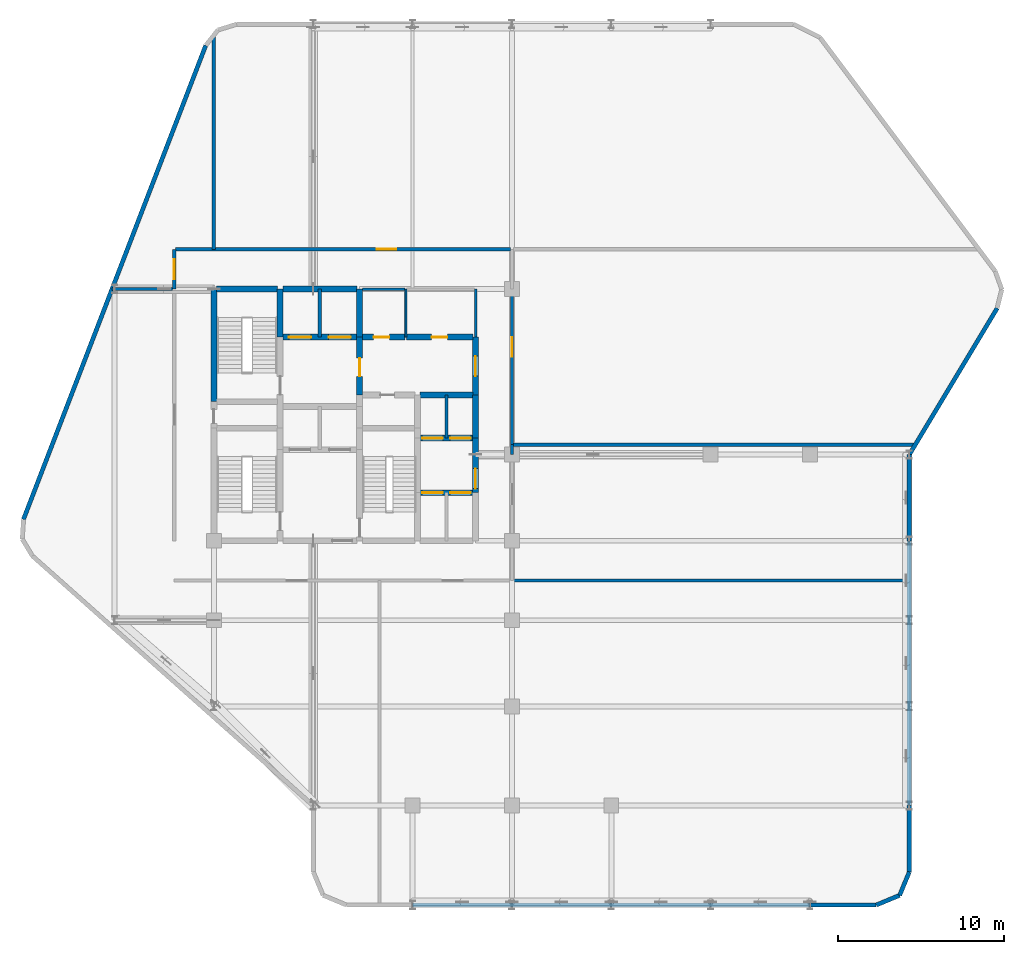
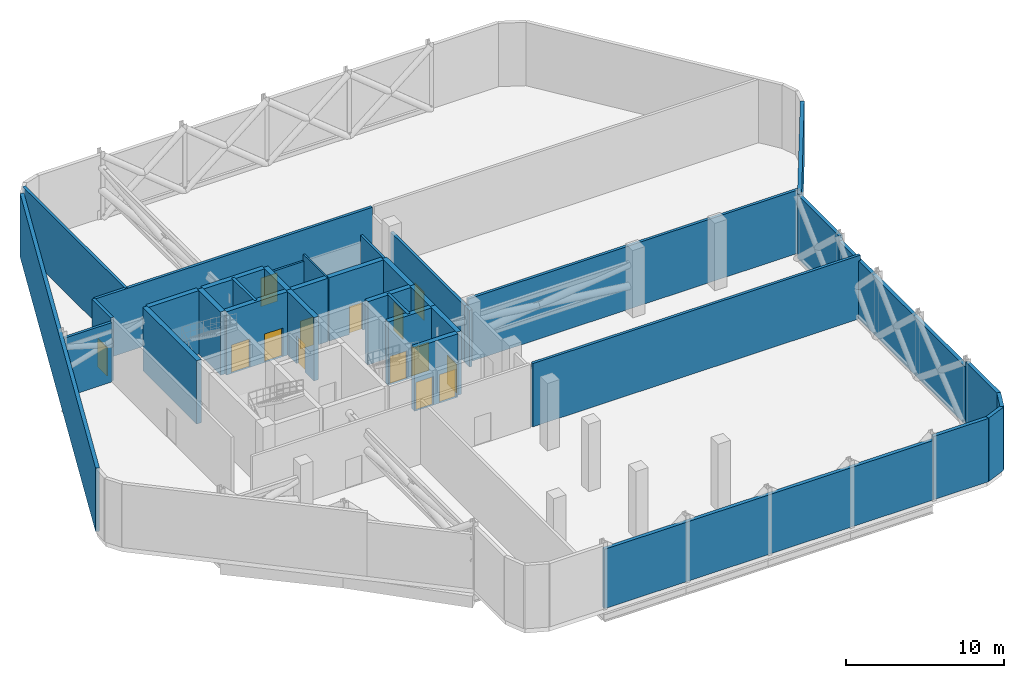
# One storey, part 10 of 12: 37 walls, 14 doors, 14 openings.
"""IFC4 building model written with IfcOpenShell, lengths in metres."""

import ifcopenshell
import ifcopenshell.guid

model = None  # the IFC model being written
_history = None  # IfcOwnerHistory: only IFC2X3 demands one
_inside = {}  # id of a spatial element -> (the spatial element, [elements in it])
_under = {}  # id of a project, library or spatial element -> (it, [spatial elements below it])
_declared = {}  # id of a project -> (the project, [libraries it declares])
_typed = {}  # id of a type object -> (the type object, [elements of that type])
_made_of = {}  # id of a material, layer set ... -> (it, [elements and type objects made of it])


def new_model(schema):
    """Start an empty IFC model of exactly this schema.

    Asked for "IFC4X3", IfcOpenShell would pick the latest addendum, in which some entities
    have other attributes; the version numbers below select the first issue.
    IFC2X3 requires an IfcOwnerHistory on every rooted entity: one is made here for all.
    """
    global model, _history
    if schema == "IFC4X3":
        model = ifcopenshell.file(schema_version=(4, 3, 0, 0))
    else:
        model = ifcopenshell.file(schema=schema)
    _inside.clear()
    _under.clear()
    _declared.clear()
    _typed.clear()
    _made_of.clear()
    _history = None
    if model.schema == "IFC2X3":
        org = make("IfcOrganization", Name="unknown")
        user = make(
            "IfcPersonAndOrganization",
            ThePerson=make("IfcPerson", FamilyName="unknown"),
            TheOrganization=org,
        )
        app = make(
            "IfcApplication",
            ApplicationDeveloper=org,
            Version="unknown",
            ApplicationFullName="unknown",
            ApplicationIdentifier="unknown",
        )
        _history = make(
            "IfcOwnerHistory",
            OwningUser=user,
            OwningApplication=app,
            ChangeAction="ADDED",
            CreationDate=0,
        )
    return model


def make(cls, **values):
    """One entity of the class cls with the attributes given. An attribute that is None is left unset."""
    return model.create_entity(
        cls, **{name: value for name, value in values.items() if value is not None}
    )


def rooted(cls, **values):
    """An entity with a GlobalId (a new one), such as an element, a storey or a relation."""
    return make(cls, GlobalId=ifcopenshell.guid.new(), OwnerHistory=_history, **values)


def si_unit(unit_type, name, prefix=None):
    """IfcSIUnit, for example si_unit("LENGTHUNIT", "METRE", prefix="MILLI")."""
    return make("IfcSIUnit", UnitType=unit_type, Prefix=prefix, Name=name)


def assignment(units):
    """IfcUnitAssignment: the units of a project."""
    return None if units is None else make("IfcUnitAssignment", Units=units)


def point(xyz):
    """IfcCartesianPoint."""
    return None if xyz is None else make("IfcCartesianPoint", Coordinates=xyz)


def direction(xyz):
    """IfcDirection."""
    return None if xyz is None else make("IfcDirection", DirectionRatios=xyz)


def frame(location, z_axis=None, x_axis=None):
    """IfcAxis2Placement3D, a coordinate frame: its origin and axes. An axis left out is left unset."""
    return make(
        "IfcAxis2Placement3D",
        Location=point(location),
        Axis=direction(z_axis),
        RefDirection=direction(x_axis),
    )


def frame_2d(location, x_axis=None):
    """IfcAxis2Placement2D, a coordinate frame in the plane: its origin and x axis."""
    return make(
        "IfcAxis2Placement2D", Location=point(location), RefDirection=direction(x_axis)
    )


def origin():
    """The frame at (0, 0, 0) with its axes left unset."""
    return frame((0.0, 0.0, 0.0))


def place(relative_to, where):
    """IfcLocalPlacement: puts the frame where relative to a parent placement (None: the world)."""
    return make(
        "IfcLocalPlacement", PlacementRelTo=relative_to, RelativePlacement=where
    )


def context(
    kind, dimensions, precision=None, world=None, true_north=None, identifier=None
):
    """IfcGeometricRepresentationContext, for example the 3D "Model" context."""
    return make(
        "IfcGeometricRepresentationContext",
        ContextIdentifier=identifier,
        ContextType=kind,
        CoordinateSpaceDimension=dimensions,
        Precision=precision,
        WorldCoordinateSystem=world,
        TrueNorth=true_north,
    )


def subcontext(parent, identifier, kind, view, scale=None):
    """IfcGeometricRepresentationSubContext, for example "Body" below "Model"."""
    return make(
        "IfcGeometricRepresentationSubContext",
        ContextIdentifier=identifier,
        ContextType=kind,
        ParentContext=parent,
        TargetScale=scale,
        TargetView=view,
    )


def project(units=None, contexts=None):
    """IfcProject with its units and contexts."""
    return rooted(
        "IfcProject",
        Name="project",
        RepresentationContexts=contexts,
        UnitsInContext=assignment(units),
    )


def spatial(cls, under=None, at=None, **own):
    """A site, building, storey or space (cls), placed at a placement, below another one or the project."""
    s = rooted(cls, ObjectPlacement=at, **own)
    if under is not None:
        _under.setdefault(under.id(), (under, []))[1].append(s)
    return s


def profile(cls, at=None, kind="AREA", **sizes):
    """A parametric profile (cls). Its sizes go by their IFC names, for example OverallWidth=200.0."""
    return make(cls, ProfileType=kind, Position=at, **sizes)


def rectangle(**sizes):
    """IfcRectangleProfileDef."""
    return profile("IfcRectangleProfileDef", **sizes)


def extrude(swept, where, along, depth):
    """IfcExtrudedAreaSolid: the profile swept, set in the frame where, extruded along a direction by depth."""
    return make(
        "IfcExtrudedAreaSolid",
        SweptArea=swept,
        Position=where,
        ExtrudedDirection=direction(along),
        Depth=depth,
    )


def shape(context_of_items, identifier, shape_type, items):
    """IfcShapeRepresentation: the items that make up one representation, for example the "Body"."""
    return make(
        "IfcShapeRepresentation",
        ContextOfItems=context_of_items,
        RepresentationIdentifier=identifier,
        RepresentationType=shape_type,
        Items=items,
    )


def material(Name=None, Category=None):
    """IfcMaterial."""
    return make("IfcMaterial", Name=Name, Category=Category)


def layer(
    of_material, thickness, ventilated=None, Name=None, Category=None, Priority=None
):
    """IfcMaterialLayer: one layer of a wall or slab, of a material (None: an air gap)."""
    return make(
        "IfcMaterialLayer",
        Material=of_material,
        LayerThickness=thickness,
        IsVentilated=ventilated,
        Name=Name,
        Category=Category,
        Priority=Priority,
    )


def layer_set(layers, Name=None):
    """IfcMaterialLayerSet."""
    return make("IfcMaterialLayerSet", MaterialLayers=layers, LayerSetName=Name)


def made_of(thing, what):
    """Note that an element or type object is made of a material, layer set ...; save() writes the relation."""
    if what is not None:
        _made_of.setdefault(what.id(), (what, []))[1].append(thing)
    return thing


def type_object(cls, material=None, **own):
    """A type object (cls), such as IfcWallType, which elements share."""
    return made_of(rooted(cls, **own), material)


def element(
    cls,
    number,
    at=None,
    inside=None,
    cuts=None,
    type_object=None,
    material=None,
    context=None,
    identifier="Body",
    shape_type=None,
    held_by="IfcProductDefinitionShape",
    body=None,
    shapes=None,
    **own,
):
    """One element of the class cls, such as IfcWall. Its Tag is "e" and its number.

    at: its placement. inside: the storey or other place that contains it. cuts: it is an
    opening in that element (IfcRelVoidsElement). A single representation is given by context,
    identifier, shape_type and body (its items); several are given by shapes. held_by: the class
    of the entity that holds the representations. save() writes the other relations.
    """
    e = rooted(cls, Tag="e%d" % number, ObjectPlacement=at, **own)
    if body is not None:
        shapes = [shape(context, identifier, shape_type, body)]
    if shapes is not None:
        e.Representation = make(held_by, Representations=shapes)
    if inside is not None:
        _inside.setdefault(inside.id(), (inside, []))[1].append(e)
    if cuts is not None:
        rooted(
            "IfcRelVoidsElement", RelatingBuildingElement=cuts, RelatedOpeningElement=e
        )
    if type_object is not None:
        _typed.setdefault(type_object.id(), (type_object, []))[1].append(e)
    return made_of(e, material)


def fill(opening, filler):
    """IfcRelFillsElement: the door or window that sits in an opening."""
    return rooted(
        "IfcRelFillsElement",
        RelatingOpeningElement=opening,
        RelatedBuildingElement=filler,
    )


def aggregate(whole, parts):
    """IfcRelAggregates: a whole, such as a stair, and the parts it consists of."""
    return rooted("IfcRelAggregates", RelatingObject=whole, RelatedObjects=parts)


def save(model, path):
    """Write the relations noted so far, then the file.

    IfcRelAggregates (storeys below a building ...), IfcRelContainedInSpatialStructure (elements
    in a storey), IfcRelDefinesByType, IfcRelAssociatesMaterial and IfcRelDeclares: one each for
    every whole, place, type object, material and project.
    """
    for whole, parts in _under.values():
        aggregate(whole, parts)
    for where, things in _inside.values():
        rooted(
            "IfcRelContainedInSpatialStructure",
            RelatedElements=things,
            RelatingStructure=where,
        )
    for kind, things in _typed.values():
        rooted("IfcRelDefinesByType", RelatedObjects=things, RelatingType=kind)
    for what, things in _made_of.values():
        rooted("IfcRelAssociatesMaterial", RelatedObjects=things, RelatingMaterial=what)
    for by, libraries in _declared.values():
        rooted("IfcRelDeclares", RelatingContext=by, RelatedDefinitions=libraries)
    model.write(path)


model = new_model("IFC4")

# Units and contexts
model_context = context("Model", 3, precision=1e-05, world=origin(), true_north=direction((0.0, 1.0)))
body_context = subcontext(model_context, "Body", "Model", "MODEL_VIEW")
ifc_project = project(units=[si_unit("LENGTHUNIT", "METRE"), si_unit("AREAUNIT", "SQUARE_METRE"), si_unit("VOLUMEUNIT", "CUBIC_METRE"), si_unit("PLANEANGLEUNIT", "RADIAN"), si_unit("MASSUNIT", "GRAM", prefix="KILO")], contexts=[model_context])

# Site, building, storey
site_placement = place(None, origin())
site = spatial("IfcSite", under=ifc_project, at=site_placement, CompositionType="ELEMENT")
building_placement = place(site_placement, origin())
building = spatial("IfcBuilding", under=site, at=building_placement, Name="Keshet Zoharim Tower", CompositionType="ELEMENT")
storey_placement = place(building_placement, frame((0.0, 0.0, 159.39990234375)))
storey = spatial("IfcBuildingStorey", under=building, at=storey_placement, Name="L39", CompositionType="ELEMENT", Elevation=159.39990234375)

# Walls
ifc_material_1 = material(Name="Gypsum Plasterboard", Category="gypsum")
ifc_layer_1 = layer(ifc_material_1, 0.14990234375)
ifc_layer_set_1 = layer_set([ifc_layer_1], Name="Gypsum Plasterboard")
wall_type_1 = type_object("IfcWallType", Name="WL-CLIN-150", PredefinedType="STANDARD", material=ifc_layer_set_1)
wall_1_placement = place(storey_placement, frame((30.800048828125, 35.0, 0.0), z_axis=(0.0, 0.0, 1.0), x_axis=(0.0, 1.0, 0.0)))
element("IfcWall", 1, at=wall_1_placement, inside=storey, type_object=wall_type_1, Name="L39 Interior Wall 031", PredefinedType="STANDARD", context=body_context, shape_type="SweptSolid", body=[
    extrude(rectangle(XDim=2.89990234375, YDim=0.14990234375, at=frame_2d((1.449951171875, 0.0))), origin(), (0.0, 0.0, 1.0), 4.89013671875),
])
wall_2_placement = place(storey_placement, frame((23.9599609375, 37.89990234375, 0.0), z_axis=(0.0, 0.0, 1.0), x_axis=(1.0, 0.0, 0.0)))
element("IfcWall", 2, at=wall_2_placement, inside=storey, type_object=wall_type_1, Name="L39 Interior Wall 056", PredefinedType="STANDARD", context=body_context, shape_type="SweptSolid", body=[
    extrude(rectangle(XDim=2.594970703125, YDim=0.14990234375, at=frame_2d((1.29736328125, 0.0))), origin(), (0.0, 0.0, 1.0), 4.39013671875),
])
ifc_material_2 = material(Name="Concrete C60/75", Category="concrete")
ifc_layer_2 = layer(ifc_material_2, 0.35009765625)
ifc_layer_set_2 = layer_set([ifc_layer_2], Name="Concrete C60/75")
wall_type_2 = type_object("IfcWallType", Name="WL-CORE-350", PredefinedType="SHEAR", material=ifc_layer_set_2)
wall_3_placement = place(storey_placement, frame((15.0, 31.10009765625, 0.0), z_axis=(0.0, 0.0, 1.0), x_axis=(0.0, 1.0, 0.0)))
element("IfcWall", 3, at=wall_3_placement, inside=storey, type_object=wall_type_2, Name="L39 Core Shear Wall 005", PredefinedType="SHEAR", context=body_context, shape_type="SweptSolid", body=[
    extrude(rectangle(XDim=6.7998046875, YDim=0.35009765625, at=frame_2d((3.39990234375, 0.0))), origin(), (0.0, 0.0, 1.0), 4.89013671875),
])
wall_4_placement = place(storey_placement, frame((19.0, 35.0, 0.0), z_axis=(0.0, 0.0, 1.0), x_axis=(0.0, 1.0, 0.0)))
element("IfcWall", 4, at=wall_4_placement, inside=storey, type_object=wall_type_2, Name="L39 Core Shear Wall 010", PredefinedType="SHEAR", context=body_context, shape_type="SweptSolid", body=[
    extrude(rectangle(XDim=2.89990234375, YDim=0.35009765625, at=frame_2d((1.449951171875, 0.0))), origin(), (0.0, 0.0, 1.0), 4.89013671875),
])

# Wall, opening, door
wall_5_placement = place(storey_placement, frame((23.800048828125, 31.5, 0.0), z_axis=(0.0, 0.0, 1.0), x_axis=(0.0, 1.0, 0.0)))
wall_5 = element("IfcWall", 5, at=wall_5_placement, inside=storey, type_object=wall_type_2, Name="L39 Core Shear Wall 017", PredefinedType="SHEAR", context=body_context, shape_type="SweptSolid", body=[
    extrude(rectangle(XDim=3.5, YDim=0.35009765625, at=frame_2d((1.75, 0.0))), origin(), (0.0, 0.0, 1.0), 4.89013671875),
])
opening_1_placement = place(wall_5_placement, frame((1.126953125, 0.0, 0.0)))
opening_1 = element("IfcOpeningElement", 6, at=opening_1_placement, cuts=wall_5, Name="Opening D-F611", PredefinedType="OPENING", context=body_context, shape_type="SweptSolid", body=[
    extrude(rectangle(XDim=1.10009765625, YDim=2.14990234375, at=frame_2d((0.550048828125, 1.074951171875))), frame((0.0, 0.18505859375, 0.0), z_axis=(0.0, -1.0, 0.0), x_axis=(1.0, 0.0, 0.0)), (0.0, 0.0, 1.0), 0.3701171875),
])
ifc_material_3 = material(Name="Hardwood Timber", Category="wood")
door_type_1 = type_object("IfcDoorType", Name="DR-FD60-110", OperationType="NOTDEFINED", PredefinedType="DOOR", material=ifc_material_3)
door_1_placement = place(opening_1_placement, origin())
door_1 = element("IfcDoor", 7, at=door_1_placement, inside=storey, type_object=door_type_1, Name="L39 Firefighting Lobby Fire Door", OperationType="SINGLE_SWING_RIGHT", OverallHeight=2.14990234375, OverallWidth=1.10009765625, PredefinedType="DOOR", context=body_context, shape_type="SweptSolid", body=[
    extrude(rectangle(XDim=1.10009765625, YDim=2.14990234375, at=frame_2d((0.550048828125, 1.074951171875))), frame((0.0, 0.02490234375, 0.0), z_axis=(0.0, -1.0, 0.0), x_axis=(1.0, 0.0, 0.0)), (0.0, 0.0, 1.0), 0.050048828125),
])
fill(opening_1, door_1)

# Wall
wall_6_placement = place(storey_placement, frame((23.800048828125, 35.0, 0.0), z_axis=(0.0, 0.0, 1.0), x_axis=(0.0, 1.0, 0.0)))
element("IfcWall", 8, at=wall_6_placement, inside=storey, type_object=wall_type_2, Name="L39 Core Shear Wall 018", PredefinedType="SHEAR", context=body_context, shape_type="SweptSolid", body=[
    extrude(rectangle(XDim=2.89990234375, YDim=0.35009765625, at=frame_2d((1.449951171875, 0.0))), origin(), (0.0, 0.0, 1.0), 4.89013671875),
])

# Wall, opening, door
wall_7_placement = place(storey_placement, frame((30.800048828125, 25.60009765625, 0.0), z_axis=(0.0, 0.0, 1.0), x_axis=(0.0, 1.0, 0.0)))
wall_7 = element("IfcWall", 9, at=wall_7_placement, inside=storey, type_object=wall_type_2, Name="L39 Core Shear Wall 028", PredefinedType="SHEAR", context=body_context, shape_type="SweptSolid", body=[
    extrude(rectangle(XDim=3.2998046875, YDim=0.35009765625, at=frame_2d((1.64990234375, 0.0))), origin(), (0.0, 0.0, 1.0), 4.89013671875),
])
opening_2_placement = place(wall_7_placement, frame((0.2529296875, 0.0, 0.0)))
opening_2 = element("IfcOpeningElement", 10, at=opening_2_placement, cuts=wall_7, Name="Opening D-F612", PredefinedType="OPENING", context=body_context, shape_type="SweptSolid", body=[
    extrude(rectangle(XDim=1.199951171875, YDim=2.199951171875, at=frame_2d((0.60009765625, 1.10009765625))), frame((0.0, 0.18505859375, 0.0), z_axis=(0.0, -1.0, 0.0), x_axis=(1.0, 0.0, 0.0)), (0.0, 0.0, 1.0), 0.3701171875),
])
door_type_2 = type_object("IfcDoorType", Name="DR-FD60-120", OperationType="NOTDEFINED", PredefinedType="DOOR", material=ifc_material_3)
door_2_placement = place(opening_2_placement, origin())
door_2 = element("IfcDoor", 11, at=door_2_placement, inside=storey, type_object=door_type_2, Name="L39 East Lift Lobby Fire Door", OperationType="SINGLE_SWING_LEFT", OverallHeight=2.199951171875, OverallWidth=1.199951171875, PredefinedType="DOOR", context=body_context, shape_type="SweptSolid", body=[
    extrude(rectangle(XDim=1.199951171875, YDim=2.199951171875, at=frame_2d((0.60009765625, 1.10009765625))), frame((0.0, 0.02490234375, 0.0), z_axis=(0.0, -1.0, 0.0), x_axis=(1.0, 0.0, 0.0)), (0.0, 0.0, 1.0), 0.050048828125),
])
fill(opening_2, door_2)

# Wall
wall_8_placement = place(storey_placement, frame((30.800048828125, 28.89990234375, 0.0), z_axis=(0.0, 0.0, 1.0), x_axis=(0.0, 1.0, 0.0)))
element("IfcWall", 12, at=wall_8_placement, inside=storey, type_object=wall_type_2, Name="L39 Core Shear Wall 029", PredefinedType="SHEAR", context=body_context, shape_type="SweptSolid", body=[
    extrude(rectangle(XDim=2.60009765625, YDim=0.35009765625, at=frame_2d((1.300048828125, 0.0))), origin(), (0.0, 0.0, 1.0), 4.89013671875),
])

# Wall, opening, door
wall_9_placement = place(storey_placement, frame((30.800048828125, 31.5, 0.0), z_axis=(0.0, 0.0, 1.0), x_axis=(0.0, 1.0, 0.0)))
wall_9 = element("IfcWall", 13, at=wall_9_placement, inside=storey, type_object=wall_type_2, Name="L39 Core Shear Wall 030", PredefinedType="SHEAR", context=body_context, shape_type="SweptSolid", body=[
    extrude(rectangle(XDim=3.5, YDim=0.35009765625, at=frame_2d((1.75, 0.0))), origin(), (0.0, 0.0, 1.0), 4.89013671875),
])
opening_3_placement = place(wall_9_placement, frame((1.14990234375, 0.0, 0.0)))
opening_3 = element("IfcOpeningElement", 14, at=opening_3_placement, cuts=wall_9, Name="Opening D-F612", PredefinedType="OPENING", context=body_context, shape_type="SweptSolid", body=[
    extrude(rectangle(XDim=1.199951171875, YDim=2.199951171875, at=frame_2d((0.60009765625, 1.10009765625))), frame((0.0, 0.18505859375, 0.0), z_axis=(0.0, -1.0, 0.0), x_axis=(1.0, 0.0, 0.0)), (0.0, 0.0, 1.0), 0.3701171875),
])
door_3_placement = place(opening_3_placement, origin())
door_3 = element("IfcDoor", 15, at=door_3_placement, inside=storey, type_object=door_type_2, Name="L39 North Lift Lobby East Fire Door", OperationType="SINGLE_SWING_RIGHT", OverallHeight=2.199951171875, OverallWidth=1.199951171875, PredefinedType="DOOR", context=body_context, shape_type="SweptSolid", body=[
    extrude(rectangle(XDim=1.199951171875, YDim=2.199951171875, at=frame_2d((0.60009765625, 1.10009765625))), frame((0.0, 0.02490234375, 0.0), z_axis=(0.0, -1.0, 0.0), x_axis=(1.0, 0.0, 0.0)), (0.0, 0.0, 1.0), 0.050048828125),
])
fill(opening_3, door_3)

# Wall, openings, doors
wall_10_placement = place(storey_placement, frame((27.4599609375, 25.60009765625, 0.0), z_axis=(0.0, 0.0, 1.0), x_axis=(1.0, 0.0, 0.0)))
wall_10 = element("IfcWall", 16, at=wall_10_placement, inside=storey, type_object=wall_type_2, Name="L39 Core Shear Wall 040", PredefinedType="SHEAR", context=body_context, shape_type="SweptSolid", body=[
    extrude(rectangle(XDim=3.179931640625, YDim=0.35009765625, at=frame_2d((1.58984375, 0.0))), origin(), (0.0, 0.0, 1.0), 4.89013671875),
])
opening_4_placement = place(wall_10_placement, frame((0.1201171875, 0.0, 0.0)))
opening_4 = element("IfcOpeningElement", 17, at=opening_4_placement, cuts=wall_10, Name="Opening LD-01", PredefinedType="OPENING", context=body_context, shape_type="SweptSolid", body=[
    extrude(rectangle(XDim=1.25, YDim=2.199951171875, at=frame_2d((0.625, 1.10009765625))), frame((0.0, 0.18505859375, 0.0), z_axis=(0.0, -1.0, 0.0), x_axis=(1.0, 0.0, 0.0)), (0.0, 0.0, 1.0), 0.3701171875),
])
opening_5_placement = place(wall_10_placement, frame((1.81005859375, 0.0, 0.0)))
opening_5 = element("IfcOpeningElement", 18, at=opening_5_placement, cuts=wall_10, Name="Opening LD-01", PredefinedType="OPENING", context=body_context, shape_type="SweptSolid", body=[
    extrude(rectangle(XDim=1.25, YDim=2.199951171875, at=frame_2d((0.625, 1.10009765625))), frame((0.0, 0.18505859375, 0.0), z_axis=(0.0, -1.0, 0.0), x_axis=(1.0, 0.0, 0.0)), (0.0, 0.0, 1.0), 0.3701171875),
])
ifc_material_4 = material(Name="Steel S355", Category="steel")
door_type_3 = type_object("IfcDoorType", Name="DR-LD01-125", OperationType="DOUBLE_DOOR_SLIDING", PredefinedType="DOOR", material=ifc_material_4)
door_4_placement = place(opening_4_placement, origin())
door_4 = element("IfcDoor", 19, at=door_4_placement, inside=storey, type_object=door_type_3, Name="L39 Passenger Lift Landing Door LF-07", OperationType="DOUBLE_DOOR_SLIDING", OverallHeight=2.199951171875, OverallWidth=1.25, PredefinedType="DOOR", context=body_context, shape_type="SweptSolid", body=[
    extrude(rectangle(XDim=1.25, YDim=2.199951171875, at=frame_2d((0.625, 1.10009765625))), frame((0.0, 0.02490234375, 0.0), z_axis=(0.0, -1.0, 0.0), x_axis=(1.0, 0.0, 0.0)), (0.0, 0.0, 1.0), 0.050048828125),
])
fill(opening_4, door_4)
door_5_placement = place(opening_5_placement, origin())
door_5 = element("IfcDoor", 20, at=door_5_placement, inside=storey, type_object=door_type_3, Name="L39 Passenger Lift Landing Door LF-08", OperationType="DOUBLE_DOOR_SLIDING", OverallHeight=2.199951171875, OverallWidth=1.25, PredefinedType="DOOR", context=body_context, shape_type="SweptSolid", body=[
    extrude(rectangle(XDim=1.25, YDim=2.199951171875, at=frame_2d((0.625, 1.10009765625))), frame((0.0, 0.02490234375, 0.0), z_axis=(0.0, -1.0, 0.0), x_axis=(1.0, 0.0, 0.0)), (0.0, 0.0, 1.0), 0.050048828125),
])
fill(opening_5, door_5)

wall_11_placement = place(storey_placement, frame((27.4599609375, 28.89990234375, 0.0), z_axis=(0.0, 0.0, 1.0), x_axis=(1.0, 0.0, 0.0)))
wall_11 = element("IfcWall", 21, at=wall_11_placement, inside=storey, type_object=wall_type_2, Name="L39 Core Shear Wall 043", PredefinedType="SHEAR", context=body_context, shape_type="SweptSolid", body=[
    extrude(rectangle(XDim=3.179931640625, YDim=0.35009765625, at=frame_2d((1.58984375, 0.0))), origin(), (0.0, 0.0, 1.0), 4.89013671875),
])
opening_6_placement = place(wall_11_placement, frame((0.1201171875, 0.0, 0.0)))
opening_6 = element("IfcOpeningElement", 22, at=opening_6_placement, cuts=wall_11, Name="Opening LD-01", PredefinedType="OPENING", context=body_context, shape_type="SweptSolid", body=[
    extrude(rectangle(XDim=1.25, YDim=2.199951171875, at=frame_2d((0.625, 1.10009765625))), frame((0.0, 0.18505859375, 0.0), z_axis=(0.0, -1.0, 0.0), x_axis=(1.0, 0.0, 0.0)), (0.0, 0.0, 1.0), 0.3701171875),
])
opening_7_placement = place(wall_11_placement, frame((1.81005859375, 0.0, 0.0)))
opening_7 = element("IfcOpeningElement", 23, at=opening_7_placement, cuts=wall_11, Name="Opening LD-01", PredefinedType="OPENING", context=body_context, shape_type="SweptSolid", body=[
    extrude(rectangle(XDim=1.25, YDim=2.199951171875, at=frame_2d((0.625, 1.10009765625))), frame((0.0, 0.18505859375, 0.0), z_axis=(0.0, -1.0, 0.0), x_axis=(1.0, 0.0, 0.0)), (0.0, 0.0, 1.0), 0.3701171875),
])
door_6_placement = place(opening_6_placement, origin())
door_6 = element("IfcDoor", 24, at=door_6_placement, inside=storey, type_object=door_type_3, Name="L39 Passenger Lift Landing Door LF-05", OperationType="DOUBLE_DOOR_SLIDING", OverallHeight=2.199951171875, OverallWidth=1.25, PredefinedType="DOOR", context=body_context, shape_type="SweptSolid", body=[
    extrude(rectangle(XDim=1.25, YDim=2.199951171875, at=frame_2d((0.625, 1.10009765625))), frame((0.0, 0.02490234375, 0.0), z_axis=(0.0, -1.0, 0.0), x_axis=(1.0, 0.0, 0.0)), (0.0, 0.0, 1.0), 0.050048828125),
])
fill(opening_6, door_6)
door_7_placement = place(opening_7_placement, origin())
door_7 = element("IfcDoor", 25, at=door_7_placement, inside=storey, type_object=door_type_3, Name="L39 Passenger Lift Landing Door LF-06", OperationType="DOUBLE_DOOR_SLIDING", OverallHeight=2.199951171875, OverallWidth=1.25, PredefinedType="DOOR", context=body_context, shape_type="SweptSolid", body=[
    extrude(rectangle(XDim=1.25, YDim=2.199951171875, at=frame_2d((0.625, 1.10009765625))), frame((0.0, 0.02490234375, 0.0), z_axis=(0.0, -1.0, 0.0), x_axis=(1.0, 0.0, 0.0)), (0.0, 0.0, 1.0), 0.050048828125),
])
fill(opening_7, door_7)

# Wall
wall_12_placement = place(storey_placement, frame((27.4599609375, 31.5, 0.0), z_axis=(0.0, 0.0, 1.0), x_axis=(1.0, 0.0, 0.0)))
element("IfcWall", 26, at=wall_12_placement, inside=storey, type_object=wall_type_2, Name="L39 Core Shear Wall 049", PredefinedType="SHEAR", context=body_context, shape_type="SweptSolid", body=[
    extrude(rectangle(XDim=3.179931640625, YDim=0.35009765625, at=frame_2d((1.58984375, 0.0))), origin(), (0.0, 0.0, 1.0), 4.89013671875),
])

# Wall, openings, doors
wall_13_placement = place(storey_placement, frame((19.159912109375, 35.0, 0.0), z_axis=(0.0, 0.0, 1.0), x_axis=(1.0, 0.0, 0.0)))
wall_13 = element("IfcWall", 27, at=wall_13_placement, inside=storey, type_object=wall_type_2, Name="L39 Core Shear Wall 050", PredefinedType="SHEAR", context=body_context, shape_type="SweptSolid", body=[
    extrude(rectangle(XDim=4.47998046875, YDim=0.35009765625, at=frame_2d((2.239990234375, 0.0))), origin(), (0.0, 0.0, 1.0), 4.89013671875),
])
opening_8_placement = place(wall_13_placement, frame((0.364990234375, 0.0, 0.0)))
opening_8 = element("IfcOpeningElement", 28, at=opening_8_placement, cuts=wall_13, Name="Opening LD-02", PredefinedType="OPENING", context=body_context, shape_type="SweptSolid", body=[
    extrude(rectangle(XDim=1.35009765625, YDim=2.199951171875, at=frame_2d((0.675048828125, 1.10009765625))), frame((0.0, 0.18505859375, 0.0), z_axis=(0.0, -1.0, 0.0), x_axis=(1.0, 0.0, 0.0)), (0.0, 0.0, 1.0), 0.3701171875),
])
opening_9_placement = place(wall_13_placement, frame((2.764892578125, 0.0, 0.0)))
opening_9 = element("IfcOpeningElement", 29, at=opening_9_placement, cuts=wall_13, Name="Opening LD-02", PredefinedType="OPENING", context=body_context, shape_type="SweptSolid", body=[
    extrude(rectangle(XDim=1.35009765625, YDim=2.199951171875, at=frame_2d((0.675048828125, 1.10009765625))), frame((0.0, 0.18505859375, 0.0), z_axis=(0.0, -1.0, 0.0), x_axis=(1.0, 0.0, 0.0)), (0.0, 0.0, 1.0), 0.3701171875),
])
door_type_4 = type_object("IfcDoorType", Name="DR-LD02-135", OperationType="DOUBLE_DOOR_SLIDING", PredefinedType="DOOR", material=ifc_material_4)
door_8_placement = place(opening_8_placement, origin())
door_8 = element("IfcDoor", 30, at=door_8_placement, inside=storey, type_object=door_type_4, Name="L39 Firefighting Lift Landing Door FF-01", OperationType="DOUBLE_DOOR_SLIDING", OverallHeight=2.199951171875, OverallWidth=1.35009765625, PredefinedType="DOOR", context=body_context, shape_type="SweptSolid", body=[
    extrude(rectangle(XDim=1.35009765625, YDim=2.199951171875, at=frame_2d((0.675048828125, 1.10009765625))), frame((0.0, 0.02490234375, 0.0), z_axis=(0.0, -1.0, 0.0), x_axis=(1.0, 0.0, 0.0)), (0.0, 0.0, 1.0), 0.050048828125),
])
fill(opening_8, door_8)
door_9_placement = place(opening_9_placement, origin())
door_9 = element("IfcDoor", 31, at=door_9_placement, inside=storey, type_object=door_type_4, Name="L39 Firefighting Lift Landing Door FF-02", OperationType="DOUBLE_DOOR_SLIDING", OverallHeight=2.199951171875, OverallWidth=1.35009765625, PredefinedType="DOOR", context=body_context, shape_type="SweptSolid", body=[
    extrude(rectangle(XDim=1.35009765625, YDim=2.199951171875, at=frame_2d((0.675048828125, 1.10009765625))), frame((0.0, 0.02490234375, 0.0), z_axis=(0.0, -1.0, 0.0), x_axis=(1.0, 0.0, 0.0)), (0.0, 0.0, 1.0), 0.050048828125),
])
fill(opening_9, door_9)

# Wall, opening, door
wall_14_placement = place(storey_placement, frame((23.9599609375, 35.0, 0.0), z_axis=(0.0, 0.0, 1.0), x_axis=(1.0, 0.0, 0.0)))
wall_14 = element("IfcWall", 32, at=wall_14_placement, inside=storey, type_object=wall_type_2, Name="L39 Core Shear Wall 051", PredefinedType="SHEAR", context=body_context, shape_type="SweptSolid", body=[
    extrude(rectangle(XDim=2.594970703125, YDim=0.35009765625, at=frame_2d((1.29736328125, 0.0))), origin(), (0.0, 0.0, 1.0), 4.89013671875),
])
opening_10_placement = place(wall_14_placement, frame((0.69091796875, 0.0, 0.0)))
opening_10 = element("IfcOpeningElement", 33, at=opening_10_placement, cuts=wall_14, Name="Opening D-F695", PredefinedType="OPENING", context=body_context, shape_type="SweptSolid", body=[
    extrude(rectangle(XDim=0.949951171875, YDim=2.14990234375, at=frame_2d((0.47509765625, 1.074951171875))), frame((0.0, 0.18505859375, 0.0), z_axis=(0.0, -1.0, 0.0), x_axis=(1.0, 0.0, 0.0)), (0.0, 0.0, 1.0), 0.3701171875),
])
door_type_5 = type_object("IfcDoorType", Name="DR-FD60-095", OperationType="NOTDEFINED", PredefinedType="DOOR", material=ifc_material_3)
door_10_placement = place(opening_10_placement, frame((0.949951171875, 0.0, 0.0), z_axis=(0.0, 0.0, 1.0), x_axis=(-1.0, 0.0, 0.0)))
door_10 = element("IfcDoor", 34, at=door_10_placement, inside=storey, type_object=door_type_5, Name="L39 Laundry Room Door", OperationType="SINGLE_SWING_LEFT", OverallHeight=2.14990234375, OverallWidth=0.949951171875, PredefinedType="DOOR", context=body_context, shape_type="SweptSolid", body=[
    extrude(rectangle(XDim=0.949951171875, YDim=2.14990234375, at=frame_2d((0.47509765625, 1.074951171875))), frame((0.0, 0.02490234375, 0.0), z_axis=(0.0, -1.0, 0.0), x_axis=(1.0, 0.0, 0.0)), (0.0, 0.0, 1.0), 0.050048828125),
])
fill(opening_10, door_10)

wall_15_placement = place(storey_placement, frame((26.64501953125, 35.0, 0.0), z_axis=(0.0, 0.0, 1.0), x_axis=(1.0, 0.0, 0.0)))
wall_15 = element("IfcWall", 35, at=wall_15_placement, inside=storey, type_object=wall_type_2, Name="L39 Core Shear Wall 052", PredefinedType="SHEAR", context=body_context, shape_type="SweptSolid", body=[
    extrude(rectangle(XDim=3.994873046875, YDim=0.35009765625, at=frame_2d((1.99755859375, 0.0))), origin(), (0.0, 0.0, 1.0), 4.89013671875),
])
opening_11_placement = place(wall_15_placement, frame((1.508056640625, 0.0, 0.0)))
opening_11 = element("IfcOpeningElement", 36, at=opening_11_placement, cuts=wall_15, Name="Opening D-F695", PredefinedType="OPENING", context=body_context, shape_type="SweptSolid", body=[
    extrude(rectangle(XDim=0.949951171875, YDim=2.14990234375, at=frame_2d((0.47509765625, 1.074951171875))), frame((0.0, 0.18505859375, 0.0), z_axis=(0.0, -1.0, 0.0), x_axis=(1.0, 0.0, 0.0)), (0.0, 0.0, 1.0), 0.3701171875),
])
door_11_placement = place(opening_11_placement, frame((0.949951171875, 0.0, 0.0), z_axis=(0.0, 0.0, 1.0), x_axis=(-1.0, 0.0, 0.0)))
door_11 = element("IfcDoor", 37, at=door_11_placement, inside=storey, type_object=door_type_5, Name="L39 Quiet Study Room Door", OperationType="SINGLE_SWING_RIGHT", OverallHeight=2.14990234375, OverallWidth=0.949951171875, PredefinedType="DOOR", context=body_context, shape_type="SweptSolid", body=[
    extrude(rectangle(XDim=0.949951171875, YDim=2.14990234375, at=frame_2d((0.47509765625, 1.074951171875))), frame((0.0, 0.02490234375, 0.0), z_axis=(0.0, -1.0, 0.0), x_axis=(1.0, 0.0, 0.0)), (0.0, 0.0, 1.0), 0.050048828125),
])
fill(opening_11, door_11)

# Walls
wall_16_placement = place(storey_placement, frame((15.159912109375, 37.89990234375, 0.0), z_axis=(0.0, 0.0, 1.0), x_axis=(1.0, 0.0, 0.0)))
element("IfcWall", 38, at=wall_16_placement, inside=storey, type_object=wall_type_2, Name="L39 Core Shear Wall 054", PredefinedType="SHEAR", context=body_context, shape_type="SweptSolid", body=[
    extrude(rectangle(XDim=3.68017578125, YDim=0.35009765625, at=frame_2d((1.840087890625, 0.0))), origin(), (0.0, 0.0, 1.0), 4.89013671875),
])
wall_17_placement = place(storey_placement, frame((19.159912109375, 37.89990234375, 0.0), z_axis=(0.0, 0.0, 1.0), x_axis=(1.0, 0.0, 0.0)))
element("IfcWall", 39, at=wall_17_placement, inside=storey, type_object=wall_type_2, Name="L39 Core Shear Wall 055", PredefinedType="SHEAR", context=body_context, shape_type="SweptSolid", body=[
    extrude(rectangle(XDim=4.47998046875, YDim=0.35009765625, at=frame_2d((2.239990234375, 0.0))), origin(), (0.0, 0.0, 1.0), 4.89013671875),
])
ifc_material_5 = material(Name="Concrete C50/60 precast", Category="concrete")
ifc_layer_3 = layer(ifc_material_5, 0.260009765625)
ifc_layer_set_3 = layer_set([ifc_layer_3], Name="Concrete C50/60 precast")
wall_type_3 = type_object("IfcWallType", Name="WL-EXT-260", PredefinedType="STANDARD", material=ifc_layer_set_3)
for number, where, z_axis, x_axis, name in (
    (40, (57.0, 2.699951171875, 0.0), (0.0, 0.0, 1.0), (-0.382802560388, -0.92383017907, 0.0), "L39 Exterior Facade Wall 01"),
    (41, (56.4140625, 1.285888671875, 0.0), (0.0, 0.0, 1.0), (-0.92383017907, -0.382802560388, 0.0), "L39 Exterior Facade Wall 02"),
):
    element("IfcWall", number, at=place(storey_placement, frame(where, z_axis=z_axis, x_axis=x_axis)), inside=storey, type_object=wall_type_3, Name=name, PredefinedType="STANDARD", context=body_context, shape_type="SweptSolid", body=[
        extrude(rectangle(XDim=1.53076171875, YDim=0.260009765625, at=frame_2d((0.765380859375, 0.0))), origin(), (0.0, 0.0, 1.0), 4.89013671875),
    ])
wall_18_placement = place(storey_placement, frame((55.0, 0.699951171875, 0.0), z_axis=(0.0, 0.0, 1.0), x_axis=(-1.0, 0.0, 0.0)))
element("IfcWall", 42, at=wall_18_placement, inside=storey, type_object=wall_type_3, Name="L39 Exterior Facade Wall 03", PredefinedType="STANDARD", context=body_context, shape_type="SweptSolid", body=[
    extrude(rectangle(XDim=4.0, YDim=0.260009765625, at=frame_2d((2.0, 0.0))), origin(), (0.0, 0.0, 1.0), 4.89013671875),
])
wall_19_placement = place(storey_placement, frame((3.4970703125, 23.992919921875, 0.0), z_axis=(0.0, 0.0, 1.0), x_axis=(0.358990281293, 0.93334129767, 0.0)))
element("IfcWall", 43, at=wall_19_placement, inside=storey, type_object=wall_type_3, Name="L39 Exterior Facade Wall 10", PredefinedType="STANDARD", context=body_context, shape_type="SweptSolid", body=[
    extrude(rectangle(XDim=30.66943359375, YDim=0.260009765625, at=frame_2d((15.334716796875, 0.0))), origin(), (0.0, 0.0, 1.0), 4.89013671875),
])
wall_20_placement = place(storey_placement, frame((62.30810546875, 36.7470703125, 0.0), z_axis=(0.0, 0.0, 1.0), x_axis=(-0.514481835924, -0.857501277261, 0.0)))
element("IfcWall", 44, at=wall_20_placement, inside=storey, type_object=wall_type_3, Name="L39 Exterior Facade Wall 18", PredefinedType="STANDARD", context=body_context, shape_type="SweptSolid", body=[
    extrude(rectangle(XDim=10.3173828125, YDim=0.260009765625, at=frame_2d((5.15869140625, 0.0))), origin(), (0.0, 0.0, 1.0), 4.89013671875),
])
wall_21_placement = place(storey_placement, frame((57.0, 27.89990234375, 0.0), z_axis=(0.0, 0.0, 1.0), x_axis=(0.0, -1.0, 0.0)))
element("IfcWall", 45, at=wall_21_placement, inside=storey, type_object=wall_type_3, Name="L39 Exterior Facade Wall 19", PredefinedType="STANDARD", context=body_context, shape_type="SweptSolid", body=[
    extrude(rectangle(XDim=5.199951171875, YDim=0.260009765625, at=frame_2d((2.60009765625, 0.0))), origin(), (0.0, 0.0, 1.0), 4.89013671875),
])
wall_22_placement = place(storey_placement, frame((51.0, 0.699951171875, 0.0), z_axis=(0.0, 0.0, 1.0), x_axis=(-1.0, 0.0, 0.0)))
element("IfcWall", 46, at=wall_22_placement, inside=storey, type_object=wall_type_3, Name="L39 Exterior Facade Wall 03 Part 2", PredefinedType="STANDARD", context=body_context, shape_type="SweptSolid", body=[
    extrude(rectangle(XDim=24.0, YDim=0.260009765625, at=frame_2d((12.0, 0.0))), origin(), (0.0, 0.0, 1.0), 4.590087890625),
])
wall_23_placement = place(storey_placement, frame((57.0, 22.699951171875, 0.0), z_axis=(0.0, 0.0, 1.0), x_axis=(0.0, -1.0, 0.0)))
element("IfcWall", 47, at=wall_23_placement, inside=storey, type_object=wall_type_3, Name="L39 Exterior Facade Wall 19 Part 2", PredefinedType="STANDARD", context=body_context, shape_type="SweptSolid", body=[
    extrude(rectangle(XDim=16.0, YDim=0.260009765625, at=frame_2d((8.0, 0.0))), origin(), (0.0, 0.0, 1.0), 4.489990234375),
])
wall_24_placement = place(storey_placement, frame((57.0, 6.699951171875, 0.0), z_axis=(0.0, 0.0, 1.0), x_axis=(0.0, -1.0, 0.0)))
element("IfcWall", 48, at=wall_24_placement, inside=storey, type_object=wall_type_3, Name="L39 Exterior Facade Wall 19 Part 3", PredefinedType="STANDARD", context=body_context, shape_type="SweptSolid", body=[
    extrude(rectangle(XDim=4.0, YDim=0.260009765625, at=frame_2d((2.0, 0.0))), origin(), (0.0, 0.0, 1.0), 4.89013671875),
])

# Wall, opening, door
ifc_material_6 = material(Name="Concrete C50/60", Category="concrete")
ifc_layer_4 = layer(ifc_material_6, 0.199951171875)
ifc_layer_set_4 = layer_set([ifc_layer_4], Name="Concrete C50/60")
wall_type_4 = type_object("IfcWallType", Name="WL-FIRE-200", PredefinedType="STANDARD", material=ifc_layer_set_4)
wall_25_placement = place(storey_placement, frame((12.60009765625, 37.89990234375, 0.0), z_axis=(0.0, 0.0, 1.0), x_axis=(0.0, 1.0, 0.0)))
wall_25 = element("IfcWall", 49, at=wall_25_placement, inside=storey, type_object=wall_type_4, Name="L39 Interior Wall 002", PredefinedType="STANDARD", context=body_context, shape_type="SweptSolid", body=[
    extrude(rectangle(XDim=2.400146484375, YDim=0.199951171875, at=frame_2d((1.2001953125, 0.0))), origin(), (0.0, 0.0, 1.0), 4.89013671875),
])
opening_12_placement = place(wall_25_placement, frame((0.60009765625, 0.0, 0.0)))
opening_12 = element("IfcOpeningElement", 50, at=opening_12_placement, cuts=wall_25, Name="Opening D-F612", PredefinedType="OPENING", context=body_context, shape_type="SweptSolid", body=[
    extrude(rectangle(XDim=1.199951171875, YDim=2.199951171875, at=frame_2d((0.60009765625, 1.10009765625))), frame((0.0, 0.10986328125, 0.0), z_axis=(0.0, -1.0, 0.0), x_axis=(1.0, 0.0, 0.0)), (0.0, 0.0, 1.0), 0.219970703125),
])
door_12_placement = place(opening_12_placement, origin())
door_12 = element("IfcDoor", 51, at=door_12_placement, inside=storey, type_object=door_type_2, Name="L39 Telecom and BMS Server Room Fire Door", OperationType="SINGLE_SWING_LEFT", OverallHeight=2.199951171875, OverallWidth=1.199951171875, PredefinedType="DOOR", context=body_context, shape_type="SweptSolid", body=[
    extrude(rectangle(XDim=1.199951171875, YDim=2.199951171875, at=frame_2d((0.60009765625, 1.10009765625))), frame((0.0, 0.02490234375, 0.0), z_axis=(0.0, -1.0, 0.0), x_axis=(1.0, 0.0, 0.0)), (0.0, 0.0, 1.0), 0.050048828125),
])
fill(opening_12, door_12)

# Walls
wall_26_placement = place(storey_placement, frame((15.0, 40.300048828125, 0.0), z_axis=(0.0, 0.0, 1.0), x_axis=(0.0, 1.0, 0.0)))
element("IfcWall", 52, at=wall_26_placement, inside=storey, type_object=wall_type_4, Name="L39 Interior Wall 006", PredefinedType="STANDARD", context=body_context, shape_type="SweptSolid", body=[
    extrude(rectangle(XDim=12.932861328125, YDim=0.199951171875, at=frame_2d((6.46630859375, 0.0))), origin(), (0.0, 0.0, 1.0), 4.89013671875),
])
wall_27_placement = place(storey_placement, frame((21.39990234375, 35.0, 0.0), z_axis=(0.0, 0.0, 1.0), x_axis=(0.0, 1.0, 0.0)))
element("IfcWall", 53, at=wall_27_placement, inside=storey, type_object=wall_type_4, Name="L39 Interior Wall 012", PredefinedType="STANDARD", context=body_context, shape_type="SweptSolid", body=[
    extrude(rectangle(XDim=2.89990234375, YDim=0.199951171875, at=frame_2d((1.449951171875, 0.0))), origin(), (0.0, 0.0, 1.0), 4.89013671875),
])
wall_28_placement = place(storey_placement, frame((29.050048828125, 28.89990234375, 0.0), z_axis=(0.0, 0.0, 1.0), x_axis=(0.0, 1.0, 0.0)))
element("IfcWall", 54, at=wall_28_placement, inside=storey, type_object=wall_type_4, Name="L39 Interior Wall 026", PredefinedType="STANDARD", context=body_context, shape_type="SweptSolid", body=[
    extrude(rectangle(XDim=2.60009765625, YDim=0.199951171875, at=frame_2d((1.300048828125, 0.0))), origin(), (0.0, 0.0, 1.0), 4.89013671875),
])

# Wall, opening, door
wall_29_placement = place(storey_placement, frame((33.0, 28.5, 0.0), z_axis=(0.0, 0.0, 1.0), x_axis=(0.0, 1.0, 0.0)))
wall_29 = element("IfcWall", 55, at=wall_29_placement, inside=storey, type_object=wall_type_4, Name="L39 Interior Wall 033", PredefinedType="STANDARD", context=body_context, shape_type="SweptSolid", body=[
    extrude(rectangle(XDim=9.39990234375, YDim=0.199951171875, at=frame_2d((4.699951171875, 0.0))), origin(), (0.0, 0.0, 1.0), 4.39013671875),
])
opening_13_placement = place(wall_29_placement, frame((5.300048828125, 0.0, 0.0)))
opening_13 = element("IfcOpeningElement", 56, at=opening_13_placement, cuts=wall_29, Name="Opening D-F612", PredefinedType="OPENING", context=body_context, shape_type="SweptSolid", body=[
    extrude(rectangle(XDim=1.199951171875, YDim=2.199951171875, at=frame_2d((0.60009765625, 1.10009765625))), frame((0.0, 0.10986328125, 0.0), z_axis=(0.0, -1.0, 0.0), x_axis=(1.0, 0.0, 0.0)), (0.0, 0.0, 1.0), 0.219970703125),
])
door_13_placement = place(opening_13_placement, origin())
door_13 = element("IfcDoor", 57, at=door_13_placement, inside=storey, type_object=door_type_2, Name="L39 Refuge Area East Fire Door", OperationType="SINGLE_SWING_RIGHT", OverallHeight=2.199951171875, OverallWidth=1.199951171875, PredefinedType="DOOR", context=body_context, shape_type="SweptSolid", body=[
    extrude(rectangle(XDim=1.199951171875, YDim=2.199951171875, at=frame_2d((0.60009765625, 1.10009765625))), frame((0.0, 0.02490234375, 0.0), z_axis=(0.0, -1.0, 0.0), x_axis=(1.0, 0.0, 0.0)), (0.0, 0.0, 1.0), 0.050048828125),
])
fill(opening_13, door_13)

# Walls
wall_30_placement = place(storey_placement, frame((33.0849609375, 20.300048828125, 0.0), z_axis=(0.0, 0.0, 1.0), x_axis=(1.0, 0.0, 0.0)))
element("IfcWall", 58, at=wall_30_placement, inside=storey, type_object=wall_type_4, Name="L39 Interior Wall 035", PredefinedType="STANDARD", context=body_context, shape_type="SweptSolid", body=[
    extrude(rectangle(XDim=23.905029296875, YDim=0.199951171875, at=frame_2d((11.95263671875, 0.0))), origin(), (0.0, 0.0, 1.0), 4.89013671875),
])
wall_31_placement = place(storey_placement, frame((33.0849609375, 28.5, 0.0), z_axis=(0.0, 0.0, 1.0), x_axis=(1.0, 0.0, 0.0)))
element("IfcWall", 59, at=wall_31_placement, inside=storey, type_object=wall_type_4, Name="L39 Interior Wall 042", PredefinedType="STANDARD", context=body_context, shape_type="SweptSolid", body=[
    extrude(rectangle(XDim=24.26513671875, YDim=0.199951171875, at=frame_2d((12.132568359375, 0.0))), origin(), (0.0, 0.0, 1.0), 4.89013671875),
])
wall_32_placement = place(storey_placement, frame((8.85595703125, 37.89990234375, 0.0), z_axis=(0.0, 0.0, 1.0), x_axis=(1.0, 0.0, 0.0)))
element("IfcWall", 60, at=wall_32_placement, inside=storey, type_object=wall_type_4, Name="L39 Interior Wall 053", PredefinedType="STANDARD", context=body_context, shape_type="SweptSolid", body=[
    extrude(rectangle(XDim=3.658935546875, YDim=0.199951171875, at=frame_2d((1.82958984375, 0.0))), origin(), (0.0, 0.0, 1.0), 4.590087890625),
])

# Wall, opening, door
wall_33_placement = place(storey_placement, frame((12.68505859375, 40.300048828125, 0.0), z_axis=(0.0, 0.0, 1.0), x_axis=(1.0, 0.0, 0.0)))
wall_33 = element("IfcWall", 61, at=wall_33_placement, inside=storey, type_object=wall_type_4, Name="L39 Interior Wall 058", PredefinedType="STANDARD", context=body_context, shape_type="SweptSolid", body=[
    extrude(rectangle(XDim=20.22998046875, YDim=0.199951171875, at=frame_2d((10.114990234375, 0.0))), origin(), (0.0, 0.0, 1.0), 4.89013671875),
])
opening_14_placement = place(wall_33_placement, frame((12.139892578125, 0.0, 0.0)))
opening_14 = element("IfcOpeningElement", 62, at=opening_14_placement, cuts=wall_33, Name="Opening D-F612", PredefinedType="OPENING", context=body_context, shape_type="SweptSolid", body=[
    extrude(rectangle(XDim=1.199951171875, YDim=2.199951171875, at=frame_2d((0.60009765625, 1.10009765625))), frame((0.0, 0.10986328125, 0.0), z_axis=(0.0, -1.0, 0.0), x_axis=(1.0, 0.0, 0.0)), (0.0, 0.0, 1.0), 0.219970703125),
])
door_14_placement = place(opening_14_placement, origin())
door_14 = element("IfcDoor", 63, at=door_14_placement, inside=storey, type_object=door_type_2, Name="L39 Mechanical AHU Plant Room Fire Door", OperationType="SINGLE_SWING_LEFT", OverallHeight=2.199951171875, OverallWidth=1.199951171875, PredefinedType="DOOR", context=body_context, shape_type="SweptSolid", body=[
    extrude(rectangle(XDim=1.199951171875, YDim=2.199951171875, at=frame_2d((0.60009765625, 1.10009765625))), frame((0.0, 0.02490234375, 0.0), z_axis=(0.0, -1.0, 0.0), x_axis=(1.0, 0.0, 0.0)), (0.0, 0.0, 1.0), 0.050048828125),
])
fill(opening_14, door_14)

# Walls
wall_34_placement = place(storey_placement, frame((33.0, 27.89990234375, 0.0), z_axis=(0.0, 0.0, 1.0), x_axis=(0.0, 1.0, 0.0)))
element("IfcWall", 64, at=wall_34_placement, inside=storey, type_object=wall_type_4, Name="L39 Interior Wall 032 Part 2", PredefinedType="STANDARD", context=body_context, shape_type="SweptSolid", body=[
    extrude(rectangle(XDim=0.60009765625, YDim=0.199951171875, at=frame_2d((0.300048828125, 0.0))), origin(), (0.0, 0.0, 1.0), 4.39013671875),
])
ifc_layer_5 = layer(ifc_material_1, 0.1201171875)
ifc_layer_set_5 = layer_set([ifc_layer_5], Name="Gypsum Plasterboard")
wall_type_5 = type_object("IfcWallType", Name="WL-PART-120", PredefinedType="PARTITIONING", material=ifc_layer_set_5)
wall_35_placement = place(storey_placement, frame((26.60009765625, 35.0, 0.0), z_axis=(0.0, 0.0, 1.0), x_axis=(0.0, 1.0, 0.0)))
element("IfcWall", 65, at=wall_35_placement, inside=storey, type_object=wall_type_5, Name="L39 Interior Wall 020", PredefinedType="PARTITIONING", context=body_context, shape_type="SweptSolid", body=[
    extrude(rectangle(XDim=2.89990234375, YDim=0.1201171875, at=frame_2d((1.449951171875, 0.0))), origin(), (0.0, 0.0, 1.0), 4.89013671875),
])

save(model, "model.ifc")
